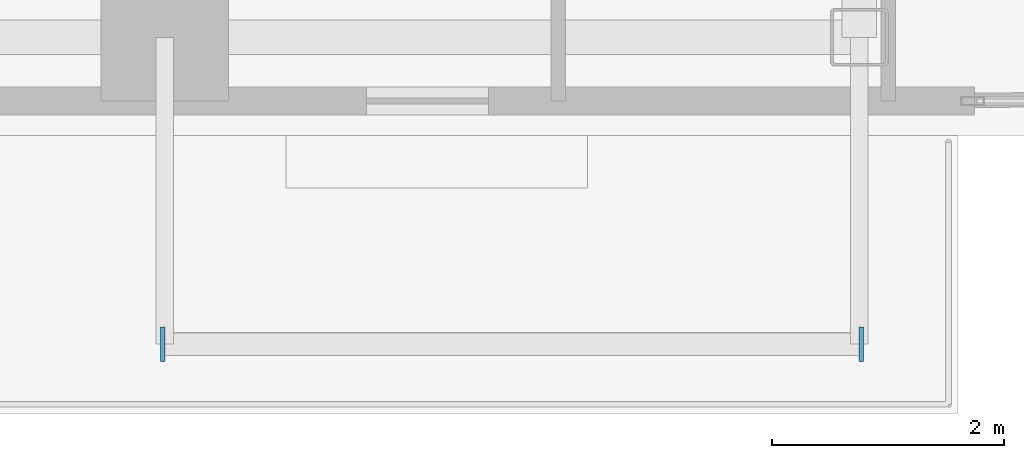
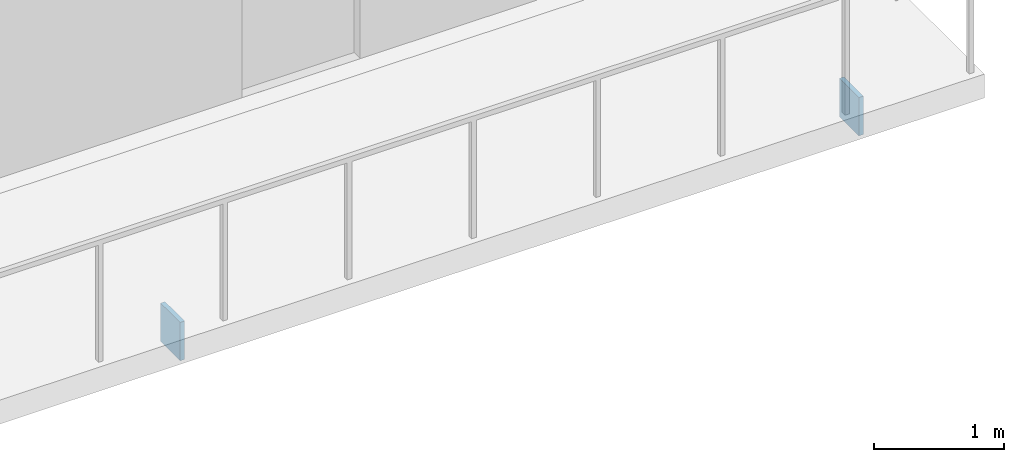
# One storey, part 20 of 28: 2 plates.
"""IFC4 building model written with IfcOpenShell, lengths in metres."""

from ifc_helpers import new_model, si_unit, direction, frame, origin, origin_2d, place, context, subcontext, project, spatial, rectangle, extrude, material, layer, layer_set, type_object, element, save


model = new_model("IFC4")

# Units and contexts
model_context = context("Model", 3, precision=1e-05, world=origin(), true_north=direction((0.0, 1.0)))
body_context = subcontext(model_context, "Body", "Model", "MODEL_VIEW")
ifc_project = project(units=[si_unit("LENGTHUNIT", "METRE"), si_unit("AREAUNIT", "SQUARE_METRE"), si_unit("VOLUMEUNIT", "CUBIC_METRE"), si_unit("PLANEANGLEUNIT", "RADIAN"), si_unit("MASSUNIT", "GRAM", prefix="KILO"), si_unit("THERMODYNAMICTEMPERATUREUNIT", "KELVIN"), si_unit("POWERUNIT", "WATT")], contexts=[model_context])

# Site, building, storey
site_placement = place(None, origin())
site = spatial("IfcSite", under=ifc_project, at=site_placement, CompositionType="ELEMENT")
building_placement = place(site_placement, origin())
building = spatial("IfcBuilding", under=site, at=building_placement, Name="Svarakhadi Broadcast Tower", CompositionType="ELEMENT")
storey_placement = place(building_placement, frame((0.0, 0.0, 153.14990234375)))
storey = spatial("IfcBuildingStorey", under=building, at=storey_placement, Name="L37", CompositionType="ELEMENT", Elevation=153.14990234375)

# Plates
ifc_material = material(Name="Steel S460ML (IS 2062 E450BR)", Category="steel")
ifc_layer = layer(ifc_material, 0.028076171875)
ifc_layer_set = layer_set([ifc_layer], Name="Steel S460ML (IS 2062 E450BR)")
plate_type = type_object("IfcPlateType", Name="Cap_Plate_CP02", PredefinedType="USERDEFINED", material=ifc_layer_set)
for number, where, z_axis, x_axis, name in (
    (1, (35.135009765625, -1.800048828125, -0.55517578125), (0.0, 0.0, 1.0), (1.0, 0.0, 0.0), "L37 Balcony Spandrel End Cap Plate 1F-A"),
    (2, (41.1650390625, -1.800048828125, -0.55517578125), (0.0, 0.0, 1.0), (1.0, 0.0, 0.0), "L37 Balcony Spandrel End Cap Plate 1F-B"),
):
    element("IfcPlate", number, at=place(storey_placement, frame(where, z_axis=z_axis, x_axis=x_axis)), inside=storey, type_object=plate_type, Name=name, ObjectType="FLANGE_PLATE", PredefinedType="USERDEFINED", context=body_context, shape_type="SweptSolid", body=[
        extrude(rectangle(XDim=0.0400390625, YDim=0.300048828125, at=origin_2d()), origin(), (0.0, 0.0, 1.0), 0.360107421875),
    ])

save(model, "model.ifc")
